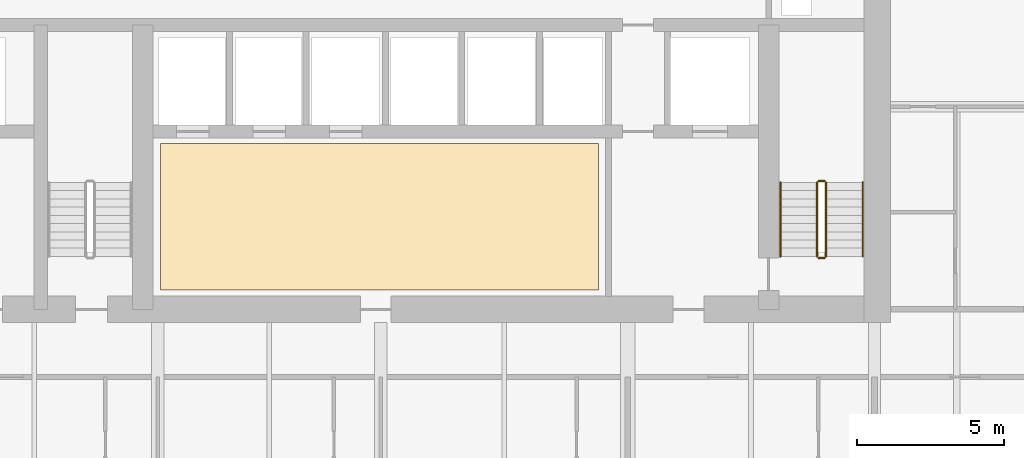
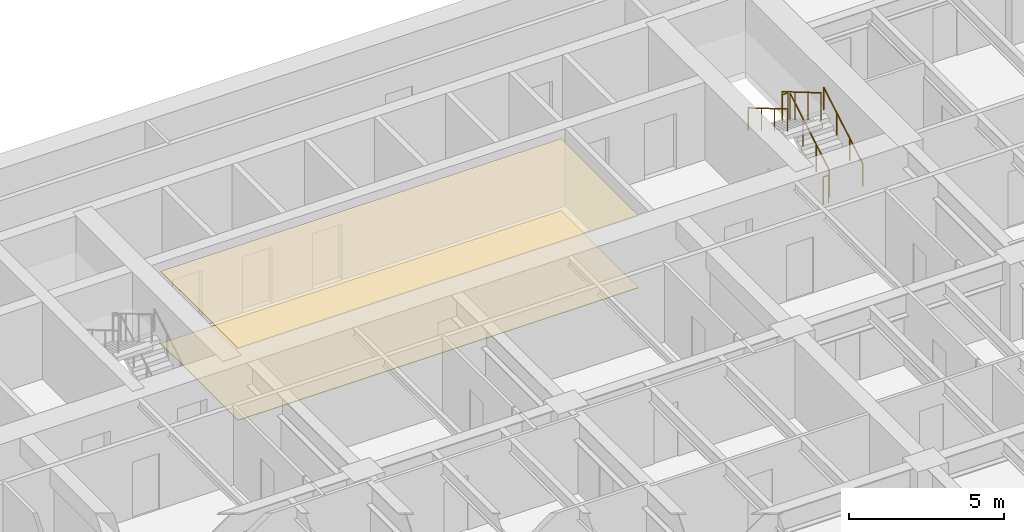
# One storey, part 16 of 17: 6 railings, 2 coverings.
"""IFC4 building model written with IfcOpenShell, lengths in metres."""

import ifcopenshell
import ifcopenshell.guid

model = None  # the IFC model being written
_history = None  # IfcOwnerHistory: only IFC2X3 demands one
_inside = {}  # id of a spatial element -> (the spatial element, [elements in it])
_under = {}  # id of a project, library or spatial element -> (it, [spatial elements below it])
_declared = {}  # id of a project -> (the project, [libraries it declares])
_typed = {}  # id of a type object -> (the type object, [elements of that type])
_made_of = {}  # id of a material, layer set ... -> (it, [elements and type objects made of it])


def new_model(schema):
    """Start an empty IFC model of exactly this schema.

    Asked for "IFC4X3", IfcOpenShell would pick the latest addendum, in which some entities
    have other attributes; the version numbers below select the first issue.
    IFC2X3 requires an IfcOwnerHistory on every rooted entity: one is made here for all.
    """
    global model, _history
    if schema == "IFC4X3":
        model = ifcopenshell.file(schema_version=(4, 3, 0, 0))
    else:
        model = ifcopenshell.file(schema=schema)
    _inside.clear()
    _under.clear()
    _declared.clear()
    _typed.clear()
    _made_of.clear()
    _history = None
    if model.schema == "IFC2X3":
        org = make("IfcOrganization", Name="unknown")
        user = make(
            "IfcPersonAndOrganization",
            ThePerson=make("IfcPerson", FamilyName="unknown"),
            TheOrganization=org,
        )
        app = make(
            "IfcApplication",
            ApplicationDeveloper=org,
            Version="unknown",
            ApplicationFullName="unknown",
            ApplicationIdentifier="unknown",
        )
        _history = make(
            "IfcOwnerHistory",
            OwningUser=user,
            OwningApplication=app,
            ChangeAction="ADDED",
            CreationDate=0,
        )
    return model


def make(cls, **values):
    """One entity of the class cls with the attributes given. An attribute that is None is left unset."""
    return model.create_entity(
        cls, **{name: value for name, value in values.items() if value is not None}
    )


def rooted(cls, **values):
    """An entity with a GlobalId (a new one), such as an element, a storey or a relation."""
    return make(cls, GlobalId=ifcopenshell.guid.new(), OwnerHistory=_history, **values)


def si_unit(unit_type, name, prefix=None):
    """IfcSIUnit, for example si_unit("LENGTHUNIT", "METRE", prefix="MILLI")."""
    return make("IfcSIUnit", UnitType=unit_type, Prefix=prefix, Name=name)


def assignment(units):
    """IfcUnitAssignment: the units of a project."""
    return None if units is None else make("IfcUnitAssignment", Units=units)


def point(xyz):
    """IfcCartesianPoint."""
    return None if xyz is None else make("IfcCartesianPoint", Coordinates=xyz)


def direction(xyz):
    """IfcDirection."""
    return None if xyz is None else make("IfcDirection", DirectionRatios=xyz)


def frame(location, z_axis=None, x_axis=None):
    """IfcAxis2Placement3D, a coordinate frame: its origin and axes. An axis left out is left unset."""
    return make(
        "IfcAxis2Placement3D",
        Location=point(location),
        Axis=direction(z_axis),
        RefDirection=direction(x_axis),
    )


def frame_2d(location, x_axis=None):
    """IfcAxis2Placement2D, a coordinate frame in the plane: its origin and x axis."""
    return make(
        "IfcAxis2Placement2D", Location=point(location), RefDirection=direction(x_axis)
    )


def origin():
    """The frame at (0, 0, 0) with its axes left unset."""
    return frame((0.0, 0.0, 0.0))


def origin_2d():
    """The frame at (0, 0) in the plane with its x axis left unset."""
    return frame_2d((0.0, 0.0))


def place(relative_to, where):
    """IfcLocalPlacement: puts the frame where relative to a parent placement (None: the world)."""
    return make(
        "IfcLocalPlacement", PlacementRelTo=relative_to, RelativePlacement=where
    )


def context(
    kind, dimensions, precision=None, world=None, true_north=None, identifier=None
):
    """IfcGeometricRepresentationContext, for example the 3D "Model" context."""
    return make(
        "IfcGeometricRepresentationContext",
        ContextIdentifier=identifier,
        ContextType=kind,
        CoordinateSpaceDimension=dimensions,
        Precision=precision,
        WorldCoordinateSystem=world,
        TrueNorth=true_north,
    )


def subcontext(parent, identifier, kind, view, scale=None):
    """IfcGeometricRepresentationSubContext, for example "Body" below "Model"."""
    return make(
        "IfcGeometricRepresentationSubContext",
        ContextIdentifier=identifier,
        ContextType=kind,
        ParentContext=parent,
        TargetScale=scale,
        TargetView=view,
    )


def project(units=None, contexts=None):
    """IfcProject with its units and contexts."""
    return rooted(
        "IfcProject",
        Name="project",
        RepresentationContexts=contexts,
        UnitsInContext=assignment(units),
    )


def spatial(cls, under=None, at=None, **own):
    """A site, building, storey or space (cls), placed at a placement, below another one or the project."""
    s = rooted(cls, ObjectPlacement=at, **own)
    if under is not None:
        _under.setdefault(under.id(), (under, []))[1].append(s)
    return s


def polyline(points):
    """IfcPolyline through the points."""
    return make("IfcPolyline", Points=[point(p) for p in points])


def profile(cls, at=None, kind="AREA", **sizes):
    """A parametric profile (cls). Its sizes go by their IFC names, for example OverallWidth=200.0."""
    return make(cls, ProfileType=kind, Position=at, **sizes)


def circle(**sizes):
    """IfcCircleProfileDef."""
    return profile("IfcCircleProfileDef", **sizes)


def outline(outer, holes=None, kind="AREA"):
    """IfcArbitraryClosedProfileDef: a profile drawn as a closed curve; with holes, ...WithVoids."""
    if holes is None:
        return make("IfcArbitraryClosedProfileDef", ProfileType=kind, OuterCurve=outer)
    return make(
        "IfcArbitraryProfileDefWithVoids",
        ProfileType=kind,
        OuterCurve=outer,
        InnerCurves=holes,
    )


def extrude(swept, where, along, depth):
    """IfcExtrudedAreaSolid: the profile swept, set in the frame where, extruded along a direction by depth."""
    return make(
        "IfcExtrudedAreaSolid",
        SweptArea=swept,
        Position=where,
        ExtrudedDirection=direction(along),
        Depth=depth,
    )


def shape(context_of_items, identifier, shape_type, items):
    """IfcShapeRepresentation: the items that make up one representation, for example the "Body"."""
    return make(
        "IfcShapeRepresentation",
        ContextOfItems=context_of_items,
        RepresentationIdentifier=identifier,
        RepresentationType=shape_type,
        Items=items,
    )


def material(Name=None, Category=None):
    """IfcMaterial."""
    return make("IfcMaterial", Name=Name, Category=Category)


def layer(
    of_material, thickness, ventilated=None, Name=None, Category=None, Priority=None
):
    """IfcMaterialLayer: one layer of a wall or slab, of a material (None: an air gap)."""
    return make(
        "IfcMaterialLayer",
        Material=of_material,
        LayerThickness=thickness,
        IsVentilated=ventilated,
        Name=Name,
        Category=Category,
        Priority=Priority,
    )


def layer_set(layers, Name=None):
    """IfcMaterialLayerSet."""
    return make("IfcMaterialLayerSet", MaterialLayers=layers, LayerSetName=Name)


def made_of(thing, what):
    """Note that an element or type object is made of a material, layer set ...; save() writes the relation."""
    if what is not None:
        _made_of.setdefault(what.id(), (what, []))[1].append(thing)
    return thing


def type_object(cls, material=None, **own):
    """A type object (cls), such as IfcWallType, which elements share."""
    return made_of(rooted(cls, **own), material)


def element(
    cls,
    number,
    at=None,
    inside=None,
    cuts=None,
    type_object=None,
    material=None,
    context=None,
    identifier="Body",
    shape_type=None,
    held_by="IfcProductDefinitionShape",
    body=None,
    shapes=None,
    **own,
):
    """One element of the class cls, such as IfcWall. Its Tag is "e" and its number.

    at: its placement. inside: the storey or other place that contains it. cuts: it is an
    opening in that element (IfcRelVoidsElement). A single representation is given by context,
    identifier, shape_type and body (its items); several are given by shapes. held_by: the class
    of the entity that holds the representations. save() writes the other relations.
    """
    e = rooted(cls, Tag="e%d" % number, ObjectPlacement=at, **own)
    if body is not None:
        shapes = [shape(context, identifier, shape_type, body)]
    if shapes is not None:
        e.Representation = make(held_by, Representations=shapes)
    if inside is not None:
        _inside.setdefault(inside.id(), (inside, []))[1].append(e)
    if cuts is not None:
        rooted(
            "IfcRelVoidsElement", RelatingBuildingElement=cuts, RelatedOpeningElement=e
        )
    if type_object is not None:
        _typed.setdefault(type_object.id(), (type_object, []))[1].append(e)
    return made_of(e, material)


def aggregate(whole, parts):
    """IfcRelAggregates: a whole, such as a stair, and the parts it consists of."""
    return rooted("IfcRelAggregates", RelatingObject=whole, RelatedObjects=parts)


def save(model, path):
    """Write the relations noted so far, then the file.

    IfcRelAggregates (storeys below a building ...), IfcRelContainedInSpatialStructure (elements
    in a storey), IfcRelDefinesByType, IfcRelAssociatesMaterial and IfcRelDeclares: one each for
    every whole, place, type object, material and project.
    """
    for whole, parts in _under.values():
        aggregate(whole, parts)
    for where, things in _inside.values():
        rooted(
            "IfcRelContainedInSpatialStructure",
            RelatedElements=things,
            RelatingStructure=where,
        )
    for kind, things in _typed.values():
        rooted("IfcRelDefinesByType", RelatedObjects=things, RelatingType=kind)
    for what, things in _made_of.values():
        rooted("IfcRelAssociatesMaterial", RelatedObjects=things, RelatingMaterial=what)
    for by, libraries in _declared.values():
        rooted("IfcRelDeclares", RelatingContext=by, RelatedDefinitions=libraries)
    model.write(path)


model = new_model("IFC4")

# Units and contexts
model_context = context("Model", 3, precision=1e-05, world=origin(), true_north=direction((0.0, 1.0)))
body_context = subcontext(model_context, "Body", "Model", "MODEL_VIEW")
ifc_project = project(units=[si_unit("LENGTHUNIT", "METRE"), si_unit("AREAUNIT", "SQUARE_METRE"), si_unit("VOLUMEUNIT", "CUBIC_METRE"), si_unit("PLANEANGLEUNIT", "RADIAN"), si_unit("MASSUNIT", "GRAM", prefix="KILO")], contexts=[model_context])

# Site, building, storey
site_placement = place(None, origin())
site = spatial("IfcSite", under=ifc_project, at=site_placement, CompositionType="ELEMENT")
building_placement = place(site_placement, origin())
building = spatial("IfcBuilding", under=site, at=building_placement, Name="Caelmar Bay Residences", CompositionType="ELEMENT")
storey_placement = place(building_placement, frame((0.0, 0.0, 49.800048828125)))
storey = spatial("IfcBuildingStorey", under=building, at=storey_placement, Name="L12", CompositionType="ELEMENT", Elevation=49.800048828125)

# Coverings
ifc_material_1 = material(Name="Perforated acoustic gypsum-mineral ceiling tile 20 mm")
ifc_layer_1 = layer(ifc_material_1, 0.02001953125)
ifc_layer_set_1 = layer_set([ifc_layer_1], Name="Perforated acoustic gypsum-mineral ceiling tile 20 mm")
covering_type_1 = type_object("IfcCoveringType", Name="COV-CEIL-20", PredefinedType="CEILING", material=ifc_layer_set_1)
covering_1_placement = place(storey_placement, frame((0.0, 0.0, 2.829833984375)))
element("IfcCovering", 1, at=covering_1_placement, inside=storey, type_object=covering_type_1, Name="L12 Lift Lobby Acoustic Ceiling", PredefinedType="CEILING", context=body_context, shape_type="SweptSolid", body=[
    extrude(outline(polyline([(35.199951171875, 37.550048828125), (50.10009765625, 37.550048828125), (50.10009765625, 42.550048828125), (35.199951171875, 42.550048828125), (35.199951171875, 37.550048828125)])), origin(), (0.0, 0.0, 1.0), 0.02001953125),
])
ifc_material_2 = material(Name="Honed terrazzo and engineered white-oak flooring 20 mm")
ifc_layer_2 = layer(ifc_material_2, 0.02001953125)
ifc_layer_set_2 = layer_set([ifc_layer_2], Name="Honed terrazzo and engineered white-oak flooring 20 mm")
covering_type_2 = type_object("IfcCoveringType", Name="COV-FLR-20", PredefinedType="FLOORING", material=ifc_layer_set_2)
covering_2_placement = place(storey_placement, origin())
element("IfcCovering", 2, at=covering_2_placement, inside=storey, type_object=covering_type_2, Name="L12 Lift Lobby Terrazzo Flooring", PredefinedType="FLOORING", context=body_context, shape_type="SweptSolid", body=[
    extrude(outline(polyline([(35.199951171875, 37.550048828125), (50.10009765625, 37.550048828125), (50.10009765625, 42.550048828125), (35.199951171875, 42.550048828125), (35.199951171875, 37.550048828125)])), origin(), (0.0, 0.0, 1.0), 0.02001953125),
])

# Railings
ifc_material_3 = material(Name="Painted galvanized steel stair guard 1100 mm", Category="steel")
railing_type_1 = type_object("IfcRailingType", Name="RL-GRD-1100", PredefinedType="GUARDRAIL", material=ifc_material_3)
railing_1_placement = place(storey_placement, frame((57.85009765625, 38.699951171875, 0.1650390625)))
element("IfcRailing", 3, at=railing_1_placement, inside=storey, type_object=railing_type_1, Name="L12 ST2 stair guard 1", PredefinedType="GUARDRAIL", context=body_context, shape_type="SweptSolid", body=[
    extrude(circle(Radius=0.02392578125, at=origin_2d()), frame((0.0, 0.0, 1.076171875), z_axis=(0.0, 0.861560626758, 0.507654692109), x_axis=(-1.0, 0.0, 0.0)), (0.0, 0.0, 1.0), 2.925048828125),
    extrude(circle(Radius=0.02099609375, at=origin_2d()), origin(), (0.0, 0.0, 1.0), 1.052001953125),
    extrude(circle(Radius=0.02099609375, at=origin_2d()), frame((0.0, 0.840087890625, 0.494873046875)), (0.0, 0.0, 1.0), 1.052001953125),
    extrude(circle(Radius=0.02099609375, at=origin_2d()), frame((0.0, 1.679931640625, 0.989990234375)), (0.0, 0.0, 1.0), 1.052001953125),
    extrude(circle(Radius=0.02099609375, at=origin_2d()), frame((0.0, 2.52001953125, 1.48486328125)), (0.0, 0.0, 1.0), 1.052001953125),
])
railing_2_placement = place(storey_placement, frame((57.800048828125, 41.27001953125, 1.64990234375)))
element("IfcRailing", 4, at=railing_2_placement, inside=storey, type_object=railing_type_1, Name="L12 ST2 stair guard 2", PredefinedType="GUARDRAIL", context=body_context, shape_type="SweptSolid", body=[
    extrude(circle(Radius=0.02392578125, at=origin_2d()), frame((0.0, 0.0, 1.076171875), z_axis=(-1.0, 0.0, 0.0), x_axis=(0.0, -1.0, 0.0)), (0.0, 0.0, 1.0), 0.199951171875),
    extrude(circle(Radius=0.02099609375, at=origin_2d()), origin(), (0.0, 0.0, 1.0), 1.052001953125),
    extrude(circle(Radius=0.02099609375, at=origin_2d()), frame((-0.199951171875, 0.0, 0.0)), (0.0, 0.0, 1.0), 1.052001953125),
])
railing_3_placement = place(storey_placement, frame((57.550048828125, 41.219970703125, 1.81494140625)))
element("IfcRailing", 5, at=railing_3_placement, inside=storey, type_object=railing_type_1, Name="L12 ST2 stair guard 3", PredefinedType="GUARDRAIL", context=body_context, shape_type="SweptSolid", body=[
    extrude(circle(Radius=0.02392578125, at=origin_2d()), frame((0.0, 0.0, 1.076171875), z_axis=(0.0, -0.86152411907, 0.507716645641), x_axis=(1.0, 0.0, 0.0)), (0.0, 0.0, 1.0), 2.925048828125),
    extrude(circle(Radius=0.02099609375, at=origin_2d()), origin(), (0.0, 0.0, 1.0), 1.052001953125),
    extrude(circle(Radius=0.02099609375, at=origin_2d()), frame((0.0, -0.840087890625, 0.4951171875)), (0.0, 0.0, 1.0), 1.052001953125),
    extrude(circle(Radius=0.02099609375, at=origin_2d()), frame((0.0, -1.679931640625, 0.989990234375)), (0.0, 0.0, 1.0), 1.052001953125),
    extrude(circle(Radius=0.02099609375, at=origin_2d()), frame((0.0, -2.52001953125, 1.485107421875)), (0.0, 0.0, 1.0), 1.052001953125),
])
railing_4_placement = place(storey_placement, frame((57.800048828125, 38.64990234375, 0.0)))
element("IfcRailing", 6, at=railing_4_placement, inside=storey, type_object=railing_type_1, Name="L12 ST2 stair guard 4", PredefinedType="GUARDRAIL", context=body_context, shape_type="SweptSolid", body=[
    extrude(circle(Radius=0.02392578125, at=origin_2d()), frame((0.0, 0.0, 1.076171875), z_axis=(-1.0, 0.0, 0.0), x_axis=(0.0, -1.0, 0.0)), (0.0, 0.0, 1.0), 0.199951171875),
    extrude(circle(Radius=0.02099609375, at=origin_2d()), origin(), (0.0, 0.0, 1.0), 1.052001953125),
    extrude(circle(Radius=0.02099609375, at=origin_2d()), frame((-0.199951171875, 0.0, 0.0)), (0.0, 0.0, 1.0), 1.052001953125),
])
ifc_material_4 = material(Name="Brushed bronze stainless-steel tubular handrail 900 mm", Category="steel")
railing_type_2 = type_object("IfcRailingType", Name="RL-HND-900", PredefinedType="HANDRAIL", material=ifc_material_4)
railing_5_placement = place(storey_placement, frame((59.10009765625, 38.699951171875, 0.1650390625)))
element("IfcRailing", 7, at=railing_5_placement, inside=storey, type_object=railing_type_2, Name="L12 ST2 stair handrail 1", PredefinedType="HANDRAIL", context=body_context, shape_type="SweptSolid", body=[
    extrude(circle(Radius=0.02392578125, at=origin_2d()), frame((0.0, 0.0, 0.8759765625), z_axis=(0.0, 0.861560626758, 0.507654692109), x_axis=(-1.0, 0.0, 0.0)), (0.0, 0.0, 1.0), 2.925048828125),
    extrude(circle(Radius=0.02099609375, at=origin_2d()), origin(), (0.0, 0.0, 1.0), 0.851806640625),
    extrude(circle(Radius=0.02099609375, at=origin_2d()), frame((0.0, 0.840087890625, 0.494873046875)), (0.0, 0.0, 1.0), 0.851806640625),
    extrude(circle(Radius=0.02099609375, at=origin_2d()), frame((0.0, 1.679931640625, 0.989990234375)), (0.0, 0.0, 1.0), 0.851806640625),
    extrude(circle(Radius=0.02099609375, at=origin_2d()), frame((0.0, 2.52001953125, 1.48486328125)), (0.0, 0.0, 1.0), 0.851806640625),
])
railing_6_placement = place(storey_placement, frame((56.300048828125, 41.219970703125, 1.81494140625)))
element("IfcRailing", 8, at=railing_6_placement, inside=storey, type_object=railing_type_2, Name="L12 ST2 stair handrail 2", PredefinedType="HANDRAIL", context=body_context, shape_type="SweptSolid", body=[
    extrude(circle(Radius=0.02392578125, at=origin_2d()), frame((0.0, 0.0, 0.8759765625), z_axis=(0.0, -0.86152411907, 0.507716645641), x_axis=(1.0, 0.0, 0.0)), (0.0, 0.0, 1.0), 2.925048828125),
    extrude(circle(Radius=0.02099609375, at=origin_2d()), origin(), (0.0, 0.0, 1.0), 0.851806640625),
    extrude(circle(Radius=0.02099609375, at=origin_2d()), frame((0.0, -0.840087890625, 0.4951171875)), (0.0, 0.0, 1.0), 0.851806640625),
    extrude(circle(Radius=0.02099609375, at=origin_2d()), frame((0.0, -1.679931640625, 0.989990234375)), (0.0, 0.0, 1.0), 0.851806640625),
    extrude(circle(Radius=0.02099609375, at=origin_2d()), frame((0.0, -2.52001953125, 1.485107421875)), (0.0, 0.0, 1.0), 0.851806640625),
])

save(model, "model.ifc")
